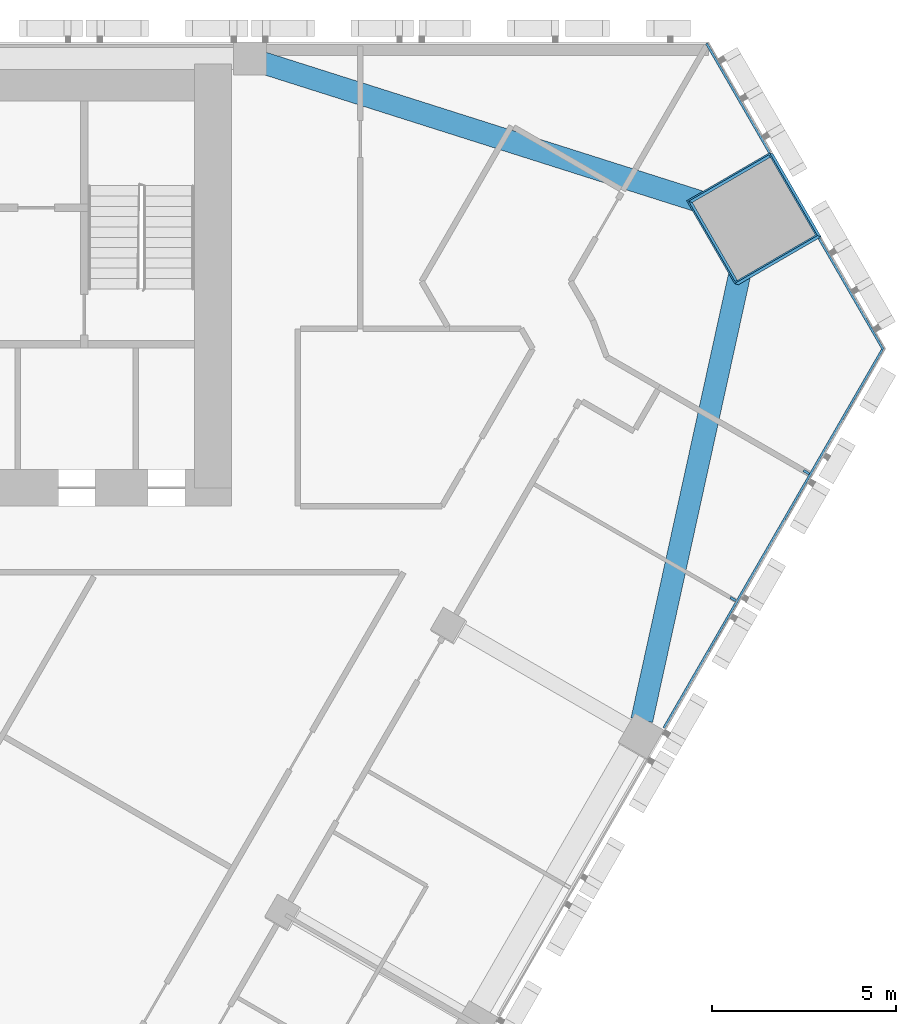
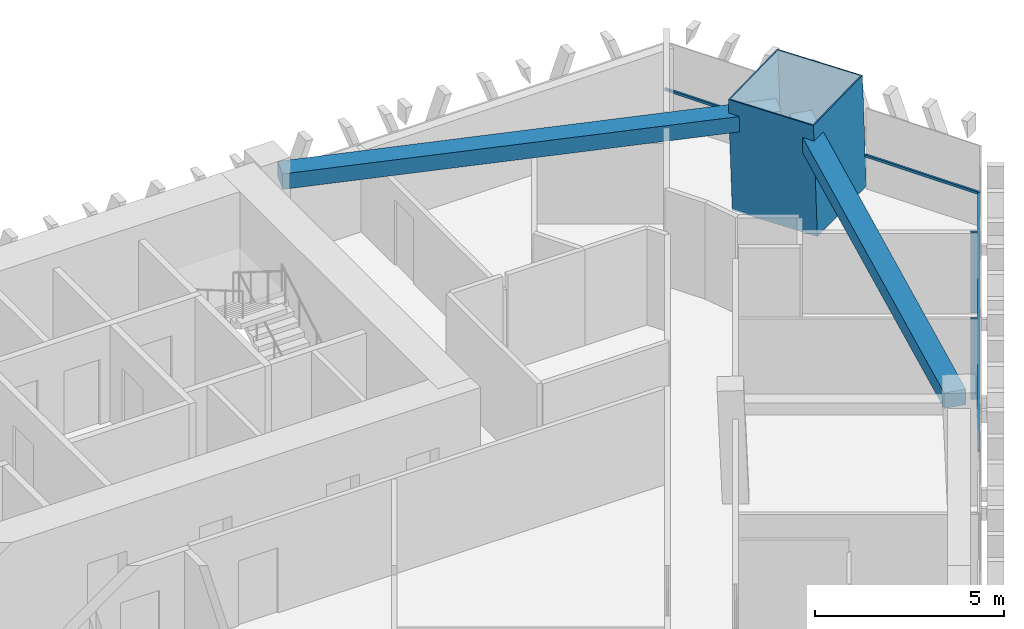
# One storey, part 8 of 18: 6 members, 2 beams, 2 elements without a shape of their own.
"""IFC4 building model written with IfcOpenShell, lengths in metres."""

from ifc_helpers import new_model, si_unit, direction, frame, origin, origin_2d, place, context, subcontext, project, spatial, rectangle, hollow_rectangle, extrude, material, layer, layer_set, material_profile, profile_set, type_object, element, aggregate, save


model = new_model("IFC4")

# Units and contexts
model_context = context("Model", 3, precision=1e-05, world=origin(), true_north=direction((0.0, 1.0)))
body_context = subcontext(model_context, "Body", "Model", "MODEL_VIEW")
ifc_project = project(units=[si_unit("LENGTHUNIT", "METRE"), si_unit("AREAUNIT", "SQUARE_METRE"), si_unit("VOLUMEUNIT", "CUBIC_METRE"), si_unit("PLANEANGLEUNIT", "RADIAN"), si_unit("MASSUNIT", "GRAM", prefix="KILO")], contexts=[model_context])

# Site, building, storey
site_placement = place(None, origin())
site = spatial("IfcSite", under=ifc_project, at=site_placement, CompositionType="ELEMENT")
building_placement = place(site_placement, origin())
building = spatial("IfcBuilding", under=site, at=building_placement, Name="Altiplano Prism Tower", CompositionType="ELEMENT")
storey_placement = place(building_placement, frame((0.0, 0.0, 45.0)))
storey = spatial("IfcBuildingStorey", under=building, at=storey_placement, Name="L10", CompositionType="ELEMENT", Elevation=45.0)

# Curtain wall, members
ifc_material_1 = material(Name="Aluminium and glass", Category="aluminium")
ifc_layer = layer(ifc_material_1, 0.280029296875)
ifc_layer_set = layer_set([ifc_layer], Name="Aluminium and glass")
curtain_wall_type = type_object("IfcCurtainWallType", Name="CW1 typical co-living unitised curtain wall", PredefinedType="NOTDEFINED", material=ifc_layer_set)
curtain_wall_1_placement = place(storey_placement, origin())
curtain_wall_1 = element("IfcCurtainWall", 1, at=curtain_wall_1_placement, inside=storey, type_object=curtain_wall_type, Name="CW1 curtain wall south-east face L10", PredefinedType="NOTDEFINED")
ifc_material_2 = material(Name="Aluminium", Category="aluminium")
ifc_material_profile_1 = material_profile(ifc_material_2, rectangle(XDim=0.179931640625, YDim=0.06494140625, at=origin_2d()), Name="CW1 mullion 65 x 180")
ifc_profile_set_1 = profile_set([ifc_material_profile_1], Name="Aluminium")
member_type_1 = type_object("IfcMemberType", Name="CW1 mullion 65 x 180", PredefinedType="MULLION", material=ifc_profile_set_1)
member_1_placement = place(storey_placement, frame((111.6220703125, 89.876220703125, 0.0), z_axis=(0.0, 0.0, 1.0), x_axis=(-0.86602540265, 0.500000001965, 0.0)))
member_1 = element("IfcMember", 2, at=member_1_placement, type_object=member_type_1, Name="CW1 mullion", PredefinedType="MULLION", context=body_context, shape_type="SweptSolid", body=[
    extrude(rectangle(XDim=0.179931640625, YDim=0.06494140625, at=origin_2d()), origin(), (0.0, 0.0, 1.0), 2.60009765625),
])
member_2_placement = place(storey_placement, frame((113.611572265625, 93.322021484375, 0.0), z_axis=(0.0, 0.0, 1.0), x_axis=(-0.86602540265, 0.500000001965, 0.0)))
member_2 = element("IfcMember", 3, at=member_2_placement, type_object=member_type_1, Name="CW1 mullion", PredefinedType="MULLION", context=body_context, shape_type="SweptSolid", body=[
    extrude(rectangle(XDim=0.179931640625, YDim=0.06494140625, at=origin_2d()), origin(), (0.0, 0.0, 1.0), 2.60009765625),
])
ifc_material_profile_2 = material_profile(ifc_material_2, rectangle(XDim=0.06005859375, YDim=0.080078125, at=origin_2d()), Name="CW1 transom 80 x 60")
ifc_profile_set_2 = profile_set([ifc_material_profile_2], Name="Aluminium")
member_type_2 = type_object("IfcMemberType", Name="CW1 transom 80 x 60", PredefinedType="USERDEFINED", material=ifc_profile_set_2)
member_3_placement = place(storey_placement, frame((109.74072265625, 86.377685546875, 1.10009765625), z_axis=(0.500008873337, 0.8660202807, 0.0), x_axis=(-0.8660202807, 0.500008873337, 0.0)))
member_3 = element("IfcMember", 4, at=member_3_placement, type_object=member_type_2, Name="CW1 transom", ObjectType="TRANSOM", PredefinedType="USERDEFINED", context=body_context, shape_type="SweptSolid", body=[
    extrude(rectangle(XDim=0.06005859375, YDim=0.080078125, at=origin_2d()), origin(), (0.0, 0.0, 1.0), 11.928466796875),
])
aggregate(curtain_wall_1, [member_1, member_2, member_3])

curtain_wall_2_placement = place(storey_placement, origin())
curtain_wall_2 = element("IfcCurtainWall", 5, at=curtain_wall_2_placement, inside=storey, type_object=curtain_wall_type, Name="CW1 curtain wall north-east chamfer L10", PredefinedType="NOTDEFINED")
member_4_placement = place(storey_placement, frame((115.705078125, 96.637939453125, 1.10009765625), z_axis=(-0.500001597329, 0.866024481564, 0.0), x_axis=(-0.866024481564, -0.500001597329, 0.0)))
member_4 = element("IfcMember", 6, at=member_4_placement, type_object=member_type_2, Name="CW1 transom", ObjectType="TRANSOM", PredefinedType="USERDEFINED", context=body_context, shape_type="SweptSolid", body=[
    extrude(rectangle(XDim=0.06005859375, YDim=0.080078125, at=origin_2d()), origin(), (0.0, 0.0, 1.0), 3.5078125),
])
member_5_placement = place(storey_placement, frame((112.611328125, 101.99658203125, 1.10009765625), z_axis=(-0.499999897272, 0.866025463095, 0.0), x_axis=(-0.866025463095, -0.499999897272, 0.0)))
member_5 = element("IfcMember", 7, at=member_5_placement, type_object=member_type_2, Name="CW1 transom", ObjectType="TRANSOM", PredefinedType="USERDEFINED", context=body_context, shape_type="SweptSolid", body=[
    extrude(rectangle(XDim=0.06005859375, YDim=0.080078125, at=origin_2d()), origin(), (0.0, 0.0, 1.0), 3.427734375),
])
aggregate(curtain_wall_2, [member_4, member_5])

# Beams
ifc_material_3 = material(Name="Concrete C60/75", Category="concrete")
ifc_material_profile_3 = material_profile(ifc_material_3, rectangle(XDim=0.60009765625, YDim=0.5, at=origin_2d()), Name="Edge beam 600x500")
ifc_profile_set_3 = profile_set([ifc_material_profile_3], Name="Concrete C60/75")
beam_type = type_object("IfcBeamType", Name="Edge beam 600x500", PredefinedType="SPANDREL", material=ifc_profile_set_3)
for number, where, z_axis, x_axis, name in (
    (8, (109.142333984375, 86.591552734375, 2.85009765625), (0.214402666883, 0.976745359054, 0.0), (-0.976745359054, 0.214402666883, 0.0), "Edge beam P24-M2 L11"),
    (9, (111.704833984375, 100.35595703125, 2.85009765625), (-0.953082376786, 0.302711055398, 0.0), (-0.302711055398, -0.953082376786, 0.0), "Edge beam M2-P01 L11"),
):
    element("IfcBeam", number, at=place(storey_placement, frame(where, z_axis=z_axis, x_axis=x_axis)), inside=storey, type_object=beam_type, Name=name, PredefinedType="SPANDREL", context=body_context, shape_type="SweptSolid", body=[
        extrude(rectangle(XDim=0.60009765625, YDim=0.5, at=origin_2d()), origin(), (0.0, 0.0, 1.0), 13.502685546875),
    ])

# Member
ifc_material_4 = material(Name="Steel S460", Category="steel")
ifc_material_profile_4 = material_profile(ifc_material_4, hollow_rectangle(XDim=2.60009765625, YDim=2.60009765625, WallThickness=0.0400390625, at=origin_2d()), Name="Mega column tube 2600")
ifc_profile_set_4 = profile_set([ifc_material_profile_4], Name="Steel S460")
member_type_3 = type_object("IfcMemberType", Name="Mega column tube 2600", PredefinedType="POST", material=ifc_profile_set_4)
member_6_placement = place(storey_placement, frame((112.236083984375, 100.1865234375, 0.0), z_axis=(-0.028401814599, 0.009218727412, 0.999554076572), x_axis=(0.500757455385, -0.86530267379, 0.022209313539)))
element("IfcMember", 10, at=member_6_placement, inside=storey, type_object=member_type_3, Name="Mega column tube M2 L10", PredefinedType="POST", context=body_context, shape_type="SweptSolid", body=[
    extrude(hollow_rectangle(XDim=2.60009765625, YDim=2.60009765625, WallThickness=0.0400390625, at=origin_2d()), origin(), (0.0, 0.0, 1.0), 3.601806640625),
])

save(model, "model.ifc")
